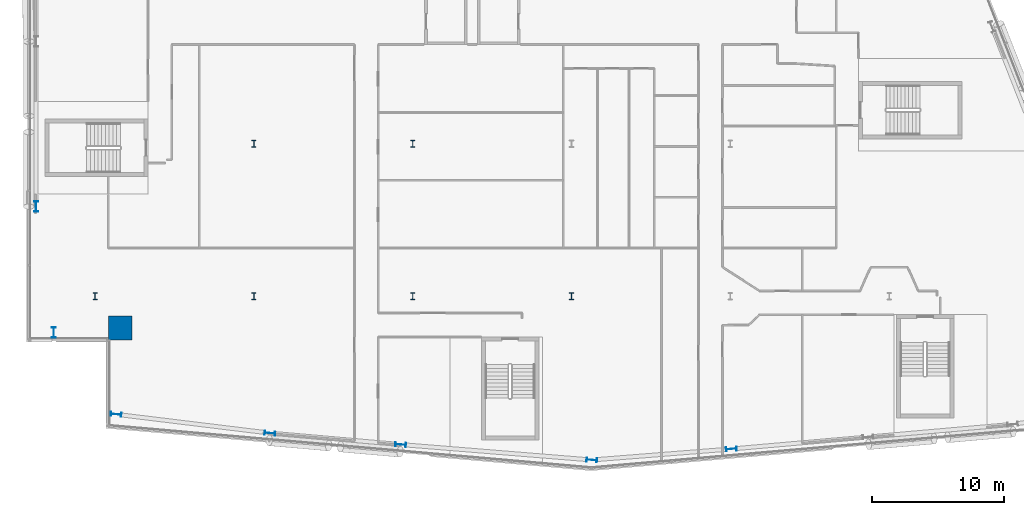
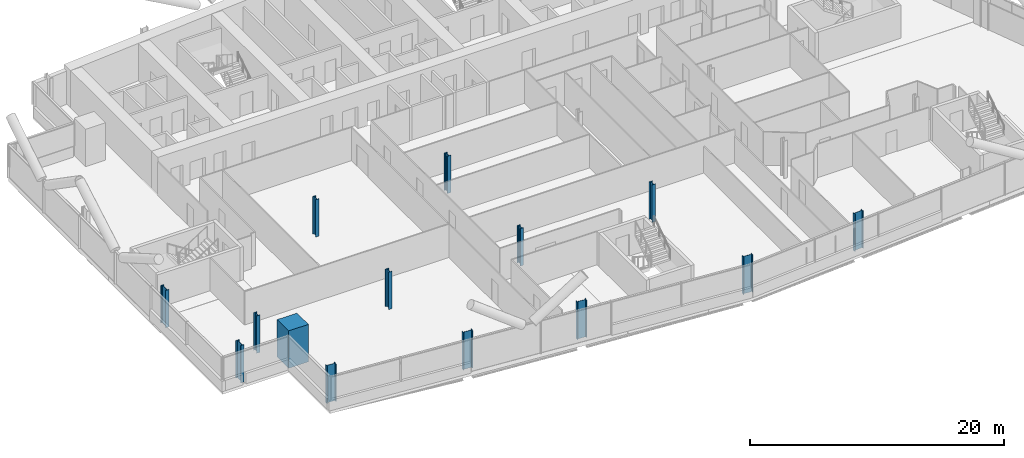
# One storey, part 1 of 27: 14 columns.
"""IFC4 building model written with IfcOpenShell, lengths in metres."""

from ifc_helpers import new_model, si_unit, direction, frame, origin, origin_2d, place, context, subcontext, project, spatial, rectangle, i_section, extrude, material, material_profile, profile_set, type_object, element, save


model = new_model("IFC4")

# Units and contexts
model_context = context("Model", 3, precision=1e-05, world=origin(), true_north=direction((0.0, 1.0)))
body_context = subcontext(model_context, "Body", "Model", "MODEL_VIEW")
ifc_project = project(units=[si_unit("LENGTHUNIT", "METRE"), si_unit("AREAUNIT", "SQUARE_METRE"), si_unit("VOLUMEUNIT", "CUBIC_METRE"), si_unit("PLANEANGLEUNIT", "RADIAN"), si_unit("MASSUNIT", "GRAM", prefix="KILO")], contexts=[model_context])

# Site, building, storey
site_placement = place(None, origin())
site = spatial("IfcSite", under=ifc_project, at=site_placement, CompositionType="ELEMENT")
building_placement = place(site_placement, origin())
building = spatial("IfcBuilding", under=site, at=building_placement, Name="Wharfspan Tower", CompositionType="ELEMENT")
storey_placement = place(building_placement, frame((0.0, 0.0, 118.300049)))
storey = spatial("IfcBuildingStorey", under=building, at=storey_placement, Name="L27", CompositionType="ELEMENT", Elevation=118.300049)

# Columns
ifc_material_1 = material(Name="Steel S355J2", Category="steel")
ifc_material_profile_1 = material_profile(ifc_material_1, i_section(OverallWidth=0.305908, OverallDepth=0.523926, WebThickness=0.020996, FlangeThickness=0.040039, FilletRadius=0.0271, at=origin_2d()))
ifc_profile_set_1 = profile_set([ifc_material_profile_1], Name="Steel S355J2")
column_type_1 = type_object("IfcColumnType", Name="Column HEM 500", PredefinedType="COLUMN", material=ifc_profile_set_1)
for number, where, z_axis, x_axis, name in (
    (1, (12.0, 11.5, 0.0), (0.0, 0.0, 1.0), (1.0, 0.0, 0.0), "Interior column I.1.1 L27"),
    (2, (24.0, 11.5, 0.0), (0.0, 0.0, 1.0), (1.0, 0.0, 0.0), "Interior column I.1.2 L27"),
    (3, (36.0, 11.5, 0.0), (0.0, 0.0, 1.0), (1.0, 0.0, 0.0), "Interior column I.1.3 L27"),
    (4, (48.0, 11.5, 0.0), (0.0, 0.0, 1.0), (1.0, 0.0, 0.0), "Interior column I.1.4 L27"),
    (5, (24.0, 23.0, 0.0), (0.0, 0.0, 1.0), (1.0, 0.0, 0.0), "Interior column I.2.1 L27"),
    (6, (36.0, 23.0, 0.0), (0.0, 0.0, 1.0), (1.0, 0.0, 0.0), "Interior column I.2.2 L27"),
):
    element("IfcColumn", number, at=place(storey_placement, frame(where, z_axis=z_axis, x_axis=x_axis)), inside=storey, type_object=column_type_1, Name=name, PredefinedType="COLUMN", context=body_context, shape_type="SweptSolid", body=[
        extrude(i_section(OverallWidth=0.305908, OverallDepth=0.523926, WebThickness=0.020996, FlangeThickness=0.040039, FilletRadius=0.0271, at=origin_2d()), origin(), (0.0, 0.0, 1.0), 3.599854),
    ])
ifc_material_profile_2 = material_profile(ifc_material_1, i_section(OverallWidth=0.302979, OverallDepth=0.813965, WebThickness=0.020996, FlangeThickness=0.040039, FilletRadius=0.030029, at=origin_2d()))
ifc_profile_set_2 = profile_set([ifc_material_profile_2], Name="Steel S355J2")
column_type_2 = type_object("IfcColumnType", Name="Column HEM 800", PredefinedType="COLUMN", material=ifc_profile_set_2)
for number, where, z_axis, x_axis, name in (
    (7, (13.590576, 2.569336, 0.0), (0.0, 0.0, 1.0), (-0.087156, -0.996198, 0.0), "Perimeter column PS1.1 L27"),
    (8, (25.213623, 1.148682, 0.0), (0.0, 0.0, 1.0), (-0.087156, -0.996198, 0.0), "Perimeter column PS1.2 L27"),
    (9, (35.089111, 0.284668, 0.0), (0.0, 0.0, 1.0), (-0.087156, -0.996198, 0.0), "Perimeter column PS1.3 L27"),
    (10, (49.53125, -0.881592, 0.0), (0.0, 0.0, 1.0), (-0.087156, -0.996198, 0.0), "Perimeter column PS1.4 L27"),
    (11, (60.077881, -0.050781, 0.0), (0.0, 0.0, 1.0), (0.087156, -0.996198, 0.0), "Perimeter column PS2.1 L27"),
    (12, (7.540039, 18.266602, 0.0), (0.0, 0.0, 1.0), (-1.0, 0.0, 0.0), "Perimeter column PW.2 L27"),
    (13, (8.884521, 8.742676, 0.0), (0.0, 0.0, 1.0), (-1.0, 0.0, 0.0), "Perimeter column PW.3 L27"),
):
    element("IfcColumn", number, at=place(storey_placement, frame(where, z_axis=z_axis, x_axis=x_axis)), inside=storey, type_object=column_type_2, Name=name, PredefinedType="COLUMN", context=body_context, shape_type="SweptSolid", body=[
        extrude(i_section(OverallWidth=0.302979, OverallDepth=0.813965, WebThickness=0.020996, FlangeThickness=0.040039, FilletRadius=0.030029, at=origin_2d()), origin(), (0.0, 0.0, 1.0), 3.599854),
    ])
ifc_material_2 = material(Name="Concrete C70/85", Category="concrete")
ifc_material_profile_3 = material_profile(ifc_material_2, rectangle(XDim=1.800049, YDim=1.800049, at=origin_2d()))
ifc_profile_set_3 = profile_set([ifc_material_profile_3], Name="Concrete C70/85")
column_type_3 = type_object("IfcColumnType", Name="Mega column 1800 C70/85", PredefinedType="COLUMN", material=ifc_profile_set_3)
column_placement = place(storey_placement, frame((13.899902, 9.100098, 0.0), z_axis=(0.0, 0.0, 1.0), x_axis=(1.0, 0.0, 0.0)))
element("IfcColumn", 14, at=column_placement, inside=storey, type_object=column_type_3, Name="Mega column MC1 L27", PredefinedType="COLUMN", context=body_context, shape_type="SweptSolid", body=[
    extrude(rectangle(XDim=1.800049, YDim=1.800049, at=origin_2d()), origin(), (0.0, 0.0, 1.0), 3.599854),
])

save(model, "model.ifc")
